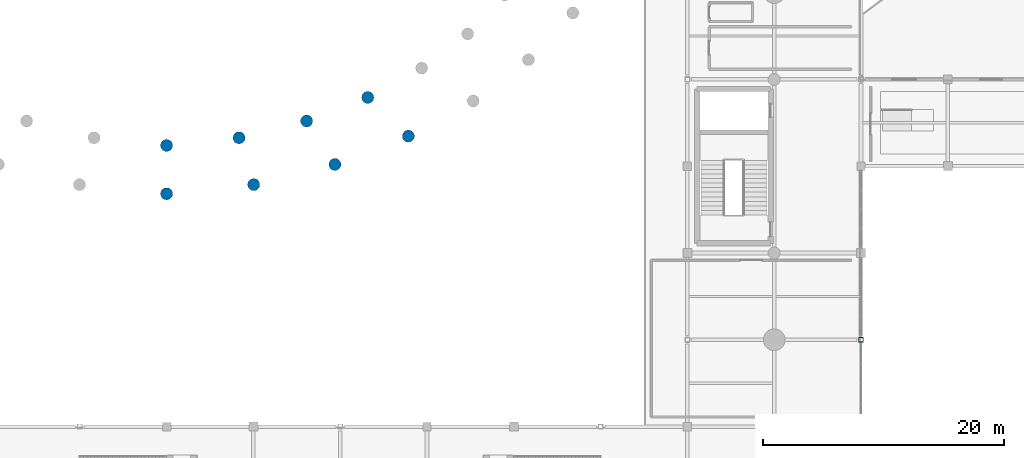
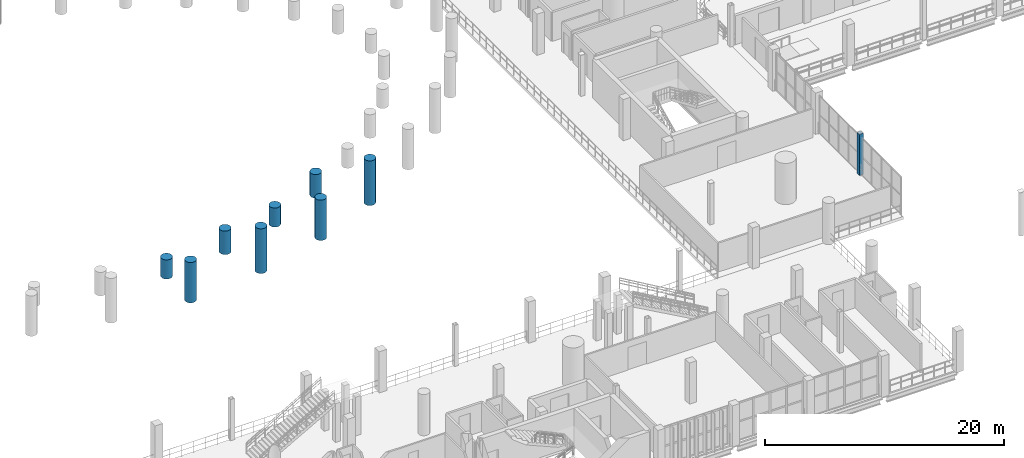
# One storey, part 6 of 130: 9 columns.
"""IFC4 building model written with IfcOpenShell, lengths in metres."""

from ifc_helpers import new_model, si_unit, direction, frame, origin, origin_2d, place, context, subcontext, project, spatial, hollow_rectangle, circle, extrude, material, material_profile, profile_set, type_object, element, save


model = new_model("IFC4")

# Units and contexts
model_context = context("Model", 3, precision=1e-05, world=origin(), true_north=direction((0.0, 1.0)))
body_context = subcontext(model_context, "Body", "Model", "MODEL_VIEW")
ifc_project = project(units=[si_unit("LENGTHUNIT", "METRE"), si_unit("AREAUNIT", "SQUARE_METRE"), si_unit("VOLUMEUNIT", "CUBIC_METRE"), si_unit("PLANEANGLEUNIT", "RADIAN"), si_unit("MASSUNIT", "GRAM", prefix="KILO")], contexts=[model_context])

# Site, building, storey
site_placement = place(None, origin())
site = spatial("IfcSite", under=ifc_project, at=site_placement, CompositionType="ELEMENT")
building_placement = place(site_placement, origin())
building = spatial("IfcBuilding", under=site, at=building_placement, Name="Qandorah Velis Arena", CompositionType="ELEMENT")
storey_placement = place(building_placement, frame((0.0, 0.0, 9.60009765625)))
storey = spatial("IfcBuildingStorey", under=building, at=storey_placement, Name="L02", CompositionType="ELEMENT", Elevation=9.60009765625)

# Columns
ifc_material_1 = material(Name="Concrete C40/50", Category="concrete")
ifc_material_profile_1 = material_profile(ifc_material_1, circle(Radius=0.5, at=origin_2d()), Name="RC D1000")
ifc_profile_set_1 = profile_set([ifc_material_profile_1], Name="Concrete C40/50")
column_type_1 = type_object("IfcColumnType", Name="STR-COL-RCD1000", PredefinedType="COLUMN", material=ifc_profile_set_1)
column_1_placement = place(storey_placement, frame((64.800048828125, 44.920654296875, 0.0), z_axis=(0.0, 0.0, 1.0), x_axis=(1.0, 0.0, 0.0)))
element("IfcColumn", 1, at=column_1_placement, inside=storey, type_object=column_type_1, Name="Upper raker fulcrum column L02 13.1", PredefinedType="COLUMN", context=body_context, shape_type="SweptSolid", body=[
    extrude(circle(Radius=0.5, at=origin_2d()), origin(), (0.0, 0.0, 1.0), 1.94482421875),
])
column_2_placement = place(storey_placement, frame((64.800048828125, 40.9091796875, 0.0), z_axis=(0.0, 0.0, 1.0), x_axis=(1.0, 0.0, 0.0)))
element("IfcColumn", 2, at=column_2_placement, inside=storey, type_object=column_type_1, Name="Outer bowl raker column L02 13.1", PredefinedType="COLUMN", context=body_context, shape_type="SweptSolid", body=[
    extrude(circle(Radius=0.5, at=origin_2d()), origin(), (0.0, 0.0, 1.0), 4.109619140625),
])
column_3_placement = place(storey_placement, frame((70.812255859375, 45.553466796875, 0.0), z_axis=(0.0, 0.0, 1.0), x_axis=(1.0, 0.0, 0.0)))
element("IfcColumn", 3, at=column_3_placement, inside=storey, type_object=column_type_1, Name="Upper raker fulcrum column L02 13.2", PredefinedType="COLUMN", context=body_context, shape_type="SweptSolid", body=[
    extrude(circle(Radius=0.5, at=origin_2d()), origin(), (0.0, 0.0, 1.0), 2.39501953125),
])
column_4_placement = place(storey_placement, frame((72.025634765625, 41.669677734375, 0.0), z_axis=(0.0, 0.0, 1.0), x_axis=(1.0, 0.0, 0.0)))
element("IfcColumn", 4, at=column_4_placement, inside=storey, type_object=column_type_1, Name="Outer bowl raker column L02 13.2", PredefinedType="COLUMN", context=body_context, shape_type="SweptSolid", body=[
    extrude(circle(Radius=0.5, at=origin_2d()), origin(), (0.0, 0.0, 1.0), 4.5595703125),
])
column_5_placement = place(storey_placement, frame((76.41455078125, 46.945556640625, 0.0), z_axis=(0.0, 0.0, 1.0), x_axis=(1.0, 0.0, 0.0)))
element("IfcColumn", 5, at=column_5_placement, inside=storey, type_object=column_type_1, Name="Upper raker fulcrum column L02 14.1", PredefinedType="COLUMN", context=body_context, shape_type="SweptSolid", body=[
    extrude(circle(Radius=0.5, at=origin_2d()), origin(), (0.0, 0.0, 1.0), 1.94482421875),
])
column_6_placement = place(storey_placement, frame((78.75830078125, 43.342529296875, 0.0), z_axis=(0.0, 0.0, 1.0), x_axis=(1.0, 0.0, 0.0)))
element("IfcColumn", 6, at=column_6_placement, inside=storey, type_object=column_type_1, Name="Outer bowl raker column L02 14.1", PredefinedType="COLUMN", context=body_context, shape_type="SweptSolid", body=[
    extrude(circle(Radius=0.5, at=origin_2d()), origin(), (0.0, 0.0, 1.0), 4.109619140625),
])
column_7_placement = place(storey_placement, frame((81.486083984375, 48.898681640625, 0.0), z_axis=(0.0, 0.0, 1.0), x_axis=(1.0, 0.0, 0.0)))
element("IfcColumn", 7, at=column_7_placement, inside=storey, type_object=column_type_1, Name="Upper raker fulcrum column L02 14.2", PredefinedType="COLUMN", context=body_context, shape_type="SweptSolid", body=[
    extrude(circle(Radius=0.5, at=origin_2d()), origin(), (0.0, 0.0, 1.0), 2.39501953125),
])
column_8_placement = place(storey_placement, frame((84.85302734375, 45.690185546875, 0.0), z_axis=(0.0, 0.0, 1.0), x_axis=(1.0, 0.0, 0.0)))
element("IfcColumn", 8, at=column_8_placement, inside=storey, type_object=column_type_1, Name="Outer bowl raker column L02 14.2", PredefinedType="COLUMN", context=body_context, shape_type="SweptSolid", body=[
    extrude(circle(Radius=0.5, at=origin_2d()), origin(), (0.0, 0.0, 1.0), 4.5595703125),
])
ifc_material_2 = material(Name="Steel S355", Category="steel")
ifc_material_profile_2 = material_profile(ifc_material_2, hollow_rectangle(XDim=0.39990234375, YDim=0.39990234375, WallThickness=0.02001953125, at=origin_2d()), Name="SHS 400x400x20")
ifc_profile_set_2 = profile_set([ifc_material_profile_2], Name="Steel S355")
column_type_2 = type_object("IfcColumnType", Name="STR-COL-SHS400", PredefinedType="COLUMN", material=ifc_profile_set_2)
column_9_placement = place(storey_placement, frame((122.39990234375, 28.800048828125, 0.0), z_axis=(0.0, 0.0, 1.0), x_axis=(1.0, 0.0, 0.0)))
element("IfcColumn", 9, at=column_9_placement, inside=storey, type_object=column_type_2, Name="Structural column L02-185", PredefinedType="COLUMN", context=body_context, shape_type="SweptSolid", body=[
    extrude(hollow_rectangle(XDim=0.39990234375, YDim=0.39990234375, WallThickness=0.02001953125, at=origin_2d()), origin(), (0.0, 0.0, 1.0), 4.199951171875),
])

save(model, "model.ifc")
